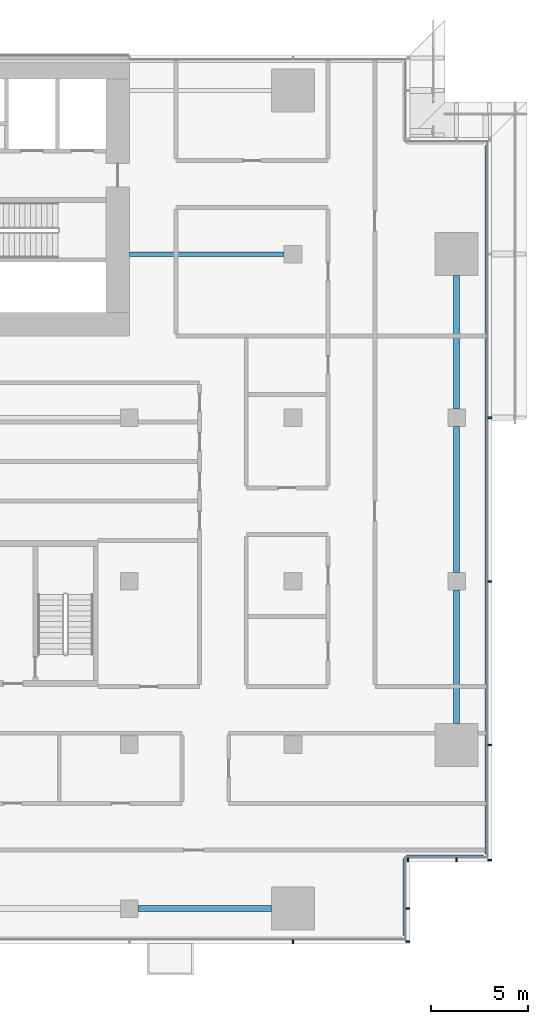
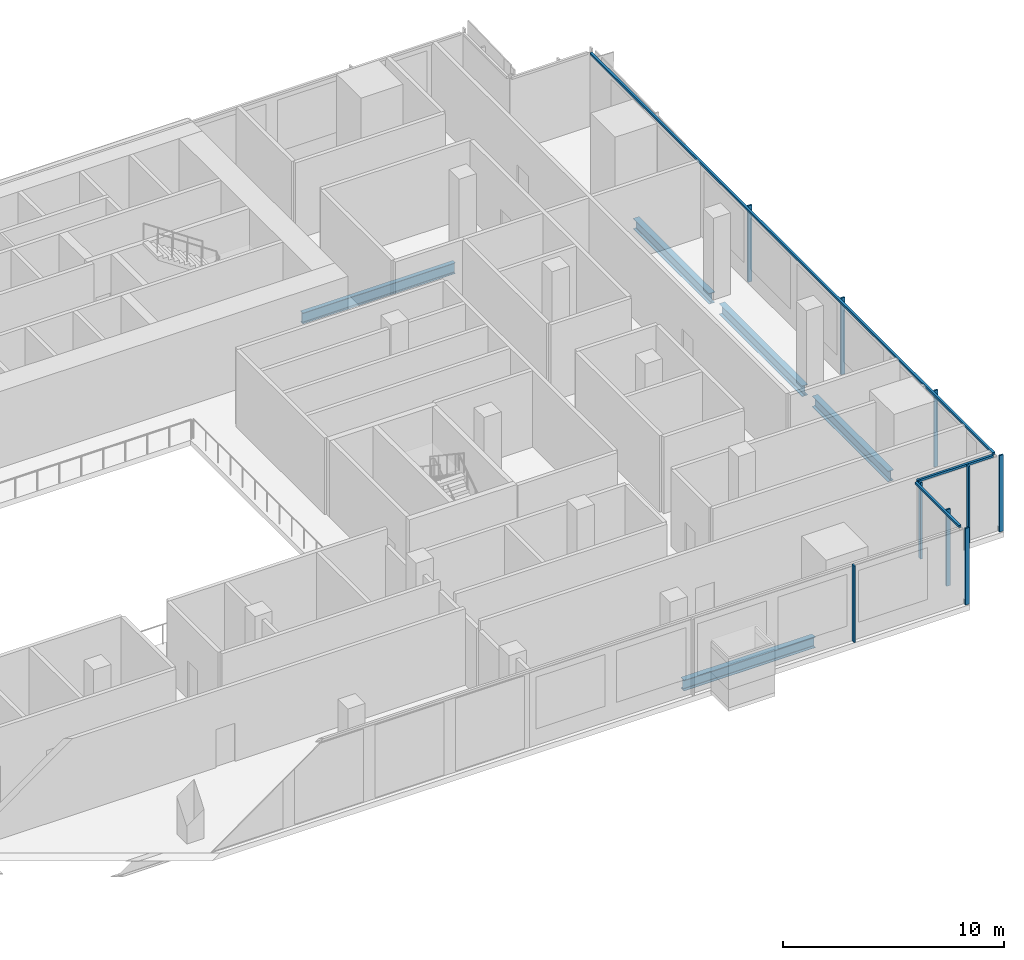
# One storey, part 9 of 23: 12 members, 5 beams, 4 elements without a shape of their own.
"""IFC4 building model written with IfcOpenShell, lengths in metres."""

from ifc_helpers import new_model, si_unit, direction, frame, origin, origin_2d, place, context, subcontext, project, spatial, rectangle, i_section, extrude, material, material_profile, profile_set, type_object, element, aggregate, save


model = new_model("IFC4")

# Units and contexts
model_context = context("Model", 3, precision=1e-05, world=origin(), true_north=direction((0.0, 1.0)))
body_context = subcontext(model_context, "Body", "Model", "MODEL_VIEW")
ifc_project = project(units=[si_unit("LENGTHUNIT", "METRE"), si_unit("AREAUNIT", "SQUARE_METRE"), si_unit("VOLUMEUNIT", "CUBIC_METRE"), si_unit("PLANEANGLEUNIT", "RADIAN"), si_unit("MASSUNIT", "GRAM", prefix="KILO")], contexts=[model_context])

# Site, building, storey
site_placement = place(None, origin())
site = spatial("IfcSite", under=ifc_project, at=site_placement, CompositionType="ELEMENT")
building_placement = place(site_placement, origin())
building = spatial("IfcBuilding", under=site, at=building_placement, Name="Saffron Gate Tower", CompositionType="ELEMENT")
storey_placement = place(building_placement, frame((0.0, 0.0, 32.699951171875)))
storey = spatial("IfcBuildingStorey", under=building, at=storey_placement, Name="L06", CompositionType="ELEMENT", Elevation=32.699951171875)

# Beams
ifc_material_1 = material(Name="Structural steel S355", Category="steel")
ifc_material_profile_1 = material_profile(ifc_material_1, i_section(OverallWidth=0.300048828125, OverallDepth=0.590087890625, WebThickness=0.012939453125, FlangeThickness=0.02490234375, FilletRadius=0.027099609375, at=origin_2d()))
ifc_profile_set_1 = profile_set([ifc_material_profile_1], Name="Structural steel S355")
beam_type_1 = type_object("IfcBeamType", Name="B14 HEA 600", PredefinedType="SPANDREL", material=ifc_profile_set_1)
for number, where, z_axis, x_axis, name in (
    (1, (109.050048828125, 31.800048828125, -0.594970703125), (1.0, 0.0, 0.0), (0.0, 1.0, 0.0), "B14 SPANDREL BEAM"),
    (2, (125.39990234375, 41.300048828125, -0.594970703125), (0.0, 1.0, 0.0), (-1.0, 0.0, 0.0), "B14 SPANDREL BEAM"),
):
    element("IfcBeam", number, at=place(storey_placement, frame(where, z_axis=z_axis, x_axis=x_axis)), inside=storey, type_object=beam_type_1, Name=name, PredefinedType="SPANDREL", context=body_context, shape_type="SweptSolid", body=[
        extrude(i_section(OverallWidth=0.300048828125, OverallDepth=0.590087890625, WebThickness=0.012939453125, FlangeThickness=0.02490234375, FilletRadius=0.027099609375, at=origin_2d()), origin(), (0.0, 0.0, 1.0), 6.849853515625),
    ])
beam_1_placement = place(storey_placement, frame((125.39990234375, 49.050048828125, -0.594970703125), z_axis=(0.0, 1.0, 0.0), x_axis=(-1.0, 0.0, 0.0)))
element("IfcBeam", 3, at=beam_1_placement, inside=storey, type_object=beam_type_1, Name="B14 SPANDREL BEAM", PredefinedType="SPANDREL", context=body_context, shape_type="SweptSolid", body=[
    extrude(i_section(OverallWidth=0.300048828125, OverallDepth=0.590087890625, WebThickness=0.012939453125, FlangeThickness=0.02490234375, FilletRadius=0.027099609375, at=origin_2d()), origin(), (0.0, 0.0, 1.0), 7.5),
])
beam_2_placement = place(storey_placement, frame((125.39990234375, 57.449951171875, -0.594970703125), z_axis=(0.0, 1.0, 0.0), x_axis=(-1.0, 0.0, 0.0)))
element("IfcBeam", 4, at=beam_2_placement, inside=storey, type_object=beam_type_1, Name="B14 SPANDREL BEAM", PredefinedType="SPANDREL", context=body_context, shape_type="SweptSolid", body=[
    extrude(i_section(OverallWidth=0.300048828125, OverallDepth=0.590087890625, WebThickness=0.012939453125, FlangeThickness=0.02490234375, FilletRadius=0.027099609375, at=origin_2d()), origin(), (0.0, 0.0, 1.0), 6.85009765625),
])
ifc_material_profile_2 = material_profile(ifc_material_1, i_section(OverallWidth=0.219970703125, OverallDepth=0.60009765625, WebThickness=0.011962890625, FlangeThickness=0.01904296875, FilletRadius=0.02392578125, at=origin_2d()))
ifc_profile_set_2 = profile_set([ifc_material_profile_2], Name="Structural steel S355")
beam_type_2 = type_object("IfcBeamType", Name="B15 IPE 600", PredefinedType="BEAM", material=ifc_profile_set_2)
beam_3_placement = place(storey_placement, frame((116.550048828125, 65.39990234375, -0.599853515625), z_axis=(-1.0, 0.0, 0.0), x_axis=(0.0, -1.0, 0.0)))
element("IfcBeam", 5, at=beam_3_placement, inside=storey, type_object=beam_type_2, Name="B15 CORE TIE BEAM", PredefinedType="BEAM", context=body_context, shape_type="SweptSolid", body=[
    extrude(i_section(OverallWidth=0.219970703125, OverallDepth=0.60009765625, WebThickness=0.011962890625, FlangeThickness=0.01904296875, FilletRadius=0.02392578125, at=origin_2d()), origin(), (0.0, 0.0, 1.0), 7.949951171875),
])

# Curtain wall, member
ifc_material_2 = material(Name="Aluminium, bronze anodised", Category="aluminium")
curtain_wall_type = type_object("IfcCurtainWallType", Name="CWS6 curtain wall tall storeys", PredefinedType="NOTDEFINED", material=ifc_material_2)
curtain_wall_1_placement = place(storey_placement, origin())
curtain_wall_1 = element("IfcCurtainWall", 6, at=curtain_wall_1_placement, inside=storey, type_object=curtain_wall_type, Name="CWS6 run 2", PredefinedType="NOTDEFINED")
ifc_material_profile_3 = material_profile(ifc_material_2, rectangle(XDim=0.1201171875, YDim=0.1201171875, at=origin_2d()))
ifc_profile_set_3 = profile_set([ifc_material_profile_3], Name="Aluminium, bronze anodised")
member_type_1 = type_object("IfcMemberType", Name="CWS6 head transom", PredefinedType="USERDEFINED", material=ifc_profile_set_3)
member_1_placement = place(storey_placement, frame((122.7119140625, 30.407958984375, 4.16015625), z_axis=(0.0, 1.0, 0.0), x_axis=(-1.0, 0.0, 0.0)))
member_1 = element("IfcMember", 7, at=member_1_placement, type_object=member_type_1, Name="CWS6 head transom", ObjectType="TRANSOM", PredefinedType="USERDEFINED", context=body_context, shape_type="SweptSolid", body=[
    extrude(rectangle(XDim=0.1201171875, YDim=0.1201171875, at=origin_2d()), origin(), (0.0, 0.0, 1.0), 3.9599609375),
])

curtain_wall_2_placement = place(storey_placement, origin())
curtain_wall_2 = element("IfcCurtainWall", 8, at=curtain_wall_2_placement, inside=storey, type_object=curtain_wall_type, Name="CWS6 run 3", PredefinedType="NOTDEFINED")
member_2_placement = place(storey_placement, frame((122.83203125, 34.488037109375, 4.16015625), z_axis=(1.0, 0.0, 0.0), x_axis=(0.0, 1.0, 0.0)))
member_2 = element("IfcMember", 9, at=member_2_placement, type_object=member_type_1, Name="CWS6 head transom", ObjectType="TRANSOM", PredefinedType="USERDEFINED", context=body_context, shape_type="SweptSolid", body=[
    extrude(rectangle(XDim=0.1201171875, YDim=0.1201171875, at=origin_2d()), origin(), (0.0, 0.0, 1.0), 3.9599609375),
])

curtain_wall_3_placement = place(storey_placement, origin())
curtain_wall_3 = element("IfcCurtainWall", 10, at=curtain_wall_3_placement, inside=storey, type_object=curtain_wall_type, Name="CWS6 run 4", PredefinedType="NOTDEFINED")
member_3_placement = place(storey_placement, frame((126.912109375, 34.60791015625, 4.16015625), z_axis=(0.0, 1.0, 0.0), x_axis=(-1.0, 0.0, 0.0)))
member_3 = element("IfcMember", 11, at=member_3_placement, type_object=member_type_1, Name="CWS6 head transom", ObjectType="TRANSOM", PredefinedType="USERDEFINED", context=body_context, shape_type="SweptSolid", body=[
    extrude(rectangle(XDim=0.1201171875, YDim=0.1201171875, at=origin_2d()), origin(), (0.0, 0.0, 1.0), 36.384033203125),
])

curtain_wall_4_placement = place(storey_placement, origin())
curtain_wall_4 = element("IfcCurtainWall", 12, at=curtain_wall_4_placement, inside=storey, type_object=curtain_wall_type, Name="CWS6 run 1", PredefinedType="NOTDEFINED")
ifc_material_profile_4 = material_profile(ifc_material_2, rectangle(XDim=0.199951171875, YDim=0.080078125, at=origin_2d()))
ifc_profile_set_4 = profile_set([ifc_material_profile_4], Name="Aluminium, bronze anodised")
member_type_2 = type_object("IfcMemberType", Name="CWS6 mullion 80x200", PredefinedType="MULLION", material=ifc_profile_set_4)
member_4_placement = place(storey_placement, frame((117.0, 30.10009765625, 0.0), z_axis=(0.0, 0.0, 1.0), x_axis=(0.0, 1.0, 0.0)))
member_4 = element("IfcMember", 13, at=member_4_placement, type_object=member_type_2, Name="CWS6 mullion 9", PredefinedType="MULLION", context=body_context, shape_type="SweptSolid", body=[
    extrude(rectangle(XDim=0.199951171875, YDim=0.080078125, at=origin_2d()), origin(), (0.0, 0.0, 1.0), 4.219970703125),
])
aggregate(curtain_wall_4, [member_4])

# Member
member_5_placement = place(storey_placement, frame((122.89990234375, 30.10009765625, 0.0), z_axis=(0.0, 0.0, 1.0), x_axis=(-1.0, 0.0, 0.0)))
member_5 = element("IfcMember", 14, at=member_5_placement, type_object=member_type_2, Name="CWS6 mullion 1", PredefinedType="MULLION", context=body_context, shape_type="SweptSolid", body=[
    extrude(rectangle(XDim=0.199951171875, YDim=0.080078125, at=origin_2d()), origin(), (0.0, 0.0, 1.0), 4.219970703125),
])

member_6_placement = place(storey_placement, frame((122.89990234375, 31.800048828125, 0.0), z_axis=(0.0, 0.0, 1.0), x_axis=(-1.0, 0.0, 0.0)))
member_6 = element("IfcMember", 15, at=member_6_placement, type_object=member_type_2, Name="CWS6 mullion 2", PredefinedType="MULLION", context=body_context, shape_type="SweptSolid", body=[
    extrude(rectangle(XDim=0.199951171875, YDim=0.080078125, at=origin_2d()), origin(), (0.0, 0.0, 1.0), 4.219970703125),
])

aggregate(curtain_wall_1, [member_5, member_6, member_1])

member_7_placement = place(storey_placement, frame((122.89990234375, 34.300048828125, 0.0), z_axis=(0.0, 0.0, 1.0), x_axis=(0.0, 1.0, 0.0)))
member_7 = element("IfcMember", 16, at=member_7_placement, type_object=member_type_2, Name="CWS6 mullion 1", PredefinedType="MULLION", context=body_context, shape_type="SweptSolid", body=[
    extrude(rectangle(XDim=0.199951171875, YDim=0.080078125, at=origin_2d()), origin(), (0.0, 0.0, 1.0), 4.219970703125),
])

member_8_placement = place(storey_placement, frame((125.39990234375, 34.300048828125, 0.0), z_axis=(0.0, 0.0, 1.0), x_axis=(0.0, 1.0, 0.0)))
member_8 = element("IfcMember", 17, at=member_8_placement, type_object=member_type_2, Name="CWS6 mullion 2", PredefinedType="MULLION", context=body_context, shape_type="SweptSolid", body=[
    extrude(rectangle(XDim=0.199951171875, YDim=0.080078125, at=origin_2d()), origin(), (0.0, 0.0, 1.0), 4.219970703125),
])

aggregate(curtain_wall_2, [member_7, member_8, member_2])

member_9_placement = place(storey_placement, frame((127.10009765625, 34.300048828125, 0.0), z_axis=(0.0, 0.0, 1.0), x_axis=(-1.0, 0.0, 0.0)))
member_9 = element("IfcMember", 18, at=member_9_placement, type_object=member_type_2, Name="CWS6 mullion 1", PredefinedType="MULLION", context=body_context, shape_type="SweptSolid", body=[
    extrude(rectangle(XDim=0.199951171875, YDim=0.080078125, at=origin_2d()), origin(), (0.0, 0.0, 1.0), 4.219970703125),
])

member_10_placement = place(storey_placement, frame((127.10009765625, 40.199951171875, 0.0), z_axis=(0.0, 0.0, 1.0), x_axis=(-1.0, 0.0, 0.0)))
member_10 = element("IfcMember", 19, at=member_10_placement, type_object=member_type_2, Name="CWS6 mullion 2", PredefinedType="MULLION", context=body_context, shape_type="SweptSolid", body=[
    extrude(rectangle(XDim=0.199951171875, YDim=0.080078125, at=origin_2d()), origin(), (0.0, 0.0, 1.0), 4.219970703125),
])

member_11_placement = place(storey_placement, frame((127.10009765625, 48.60009765625, 0.0), z_axis=(0.0, 0.0, 1.0), x_axis=(-1.0, 0.0, 0.0)))
member_11 = element("IfcMember", 20, at=member_11_placement, type_object=member_type_2, Name="CWS6 mullion 3", PredefinedType="MULLION", context=body_context, shape_type="SweptSolid", body=[
    extrude(rectangle(XDim=0.199951171875, YDim=0.080078125, at=origin_2d()), origin(), (0.0, 0.0, 1.0), 4.219970703125),
])

member_12_placement = place(storey_placement, frame((127.10009765625, 57.0, 0.0), z_axis=(0.0, 0.0, 1.0), x_axis=(-1.0, 0.0, 0.0)))
member_12 = element("IfcMember", 21, at=member_12_placement, type_object=member_type_2, Name="CWS6 mullion 4", PredefinedType="MULLION", context=body_context, shape_type="SweptSolid", body=[
    extrude(rectangle(XDim=0.199951171875, YDim=0.080078125, at=origin_2d()), origin(), (0.0, 0.0, 1.0), 4.219970703125),
])

aggregate(curtain_wall_3, [member_9, member_10, member_11, member_12, member_3])

save(model, "model.ifc")
